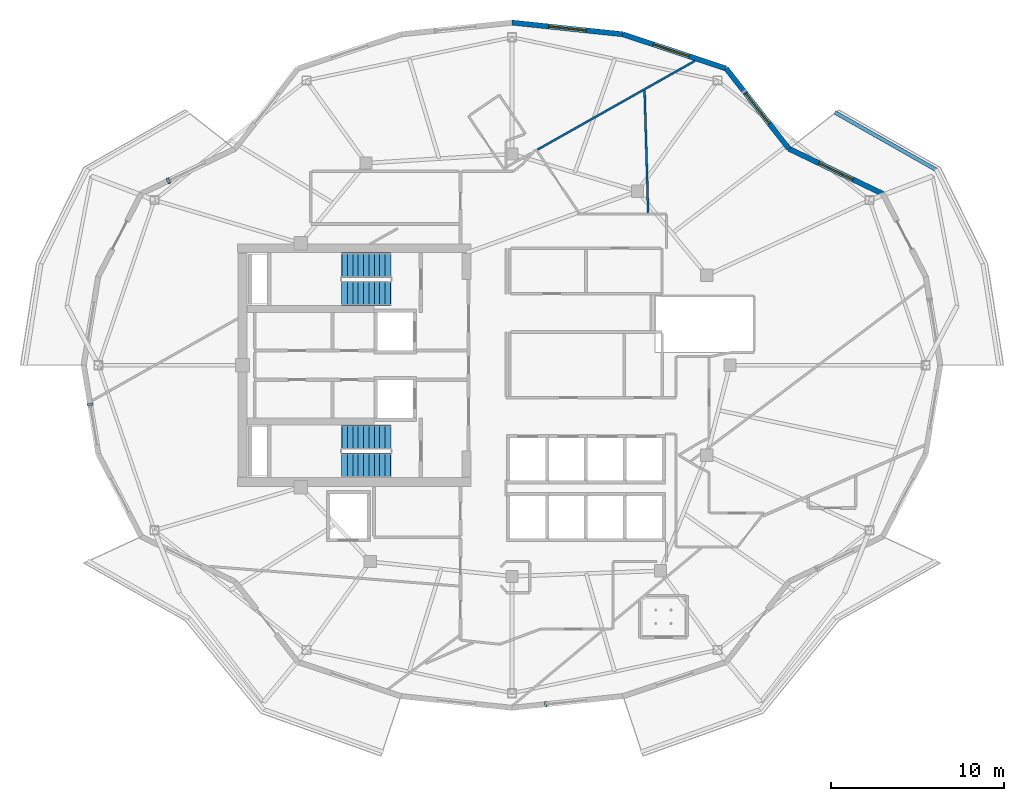
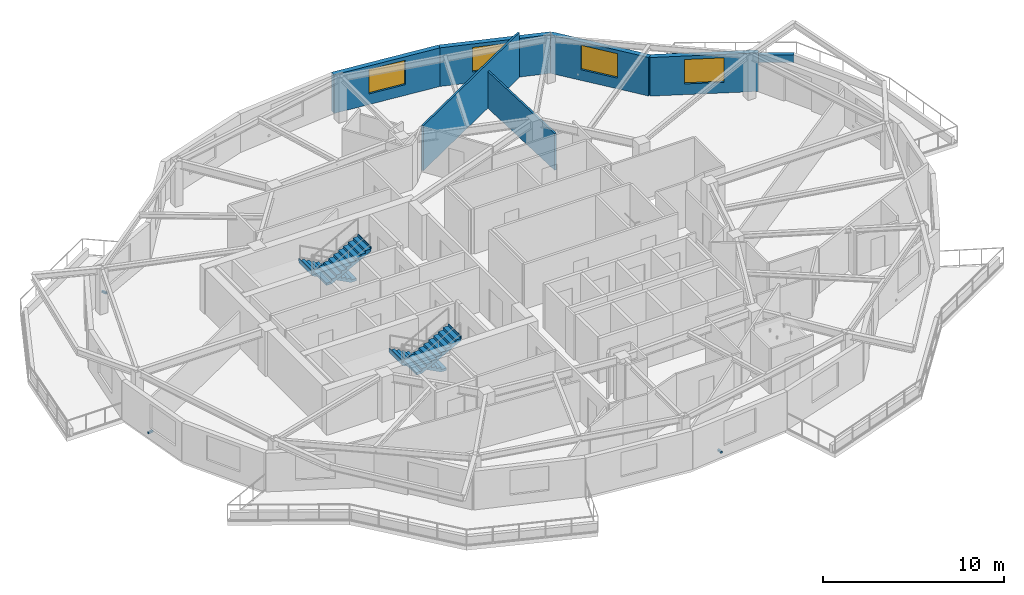
# One storey, part 7 of 13: 7 walls, 4 stair flights, 4 windows, 3 discrete accessories, 4 openings, 2 elements without a shape of their own.
"""IFC4 building model written with IfcOpenShell, lengths in metres."""

from ifc_helpers import new_model, si_unit, direction, frame, frame_2d, origin, origin_2d, place, context, subcontext, project, spatial, polyline, rectangle, outline, extrude, material, layer, layer_set, type_object, element, fill, aggregate, save


model = new_model("IFC4")

# Units and contexts
model_context = context("Model", 3, precision=1e-05, world=origin(), true_north=direction((0.0, 1.0)))
body_context = subcontext(model_context, "Body", "Model", "MODEL_VIEW")
ifc_project = project(units=[si_unit("LENGTHUNIT", "METRE"), si_unit("AREAUNIT", "SQUARE_METRE"), si_unit("VOLUMEUNIT", "CUBIC_METRE"), si_unit("PLANEANGLEUNIT", "RADIAN"), si_unit("MASSUNIT", "GRAM", prefix="KILO")], contexts=[model_context])

# Site, building, storey
site_placement = place(None, origin())
site = spatial("IfcSite", under=ifc_project, at=site_placement, CompositionType="ELEMENT")
building_placement = place(site_placement, origin())
building = spatial("IfcBuilding", under=site, at=building_placement, Name="Kolvaren Gate Tower and Convention Centre", CompositionType="ELEMENT")
storey_placement = place(building_placement, frame((0.0, 0.0, 196.39990234375)))
storey = spatial("IfcBuildingStorey", under=building, at=storey_placement, Name="L51", CompositionType="ELEMENT", Elevation=196.39990234375)

# Walls
ifc_material_1 = material(Name="Fire-Rated Acoustic Gypsum Stud Partition", Category="gypsum")
ifc_layer_1 = layer(ifc_material_1, 0.1201171875)
ifc_layer_set_1 = layer_set([ifc_layer_1], Name="Fire-Rated Acoustic Gypsum Stud Partition")
wall_type_1 = type_object("IfcWallType", Name="ARCH-WL-PART-120", PredefinedType="PARTITIONING", material=ifc_layer_set_1)
wall_1_placement = place(storey_placement, frame((31.59814453125, 39.458251953125, 0.0), z_axis=(0.0, 0.0, 1.0), x_axis=(0.871126204373, 0.491059198117, 0.0)))
element("IfcWall", 1, at=wall_1_placement, inside=storey, type_object=wall_type_1, Name="Interior Partition WL-L51-INT-066 (2)", PredefinedType="PARTITIONING", context=body_context, shape_type="SweptSolid", body=[
    extrude(rectangle(XDim=10.441650390625, YDim=0.1201171875, at=frame_2d((5.220703125, 0.0))), origin(), (0.0, 0.0, 1.0), 3.030029296875),
])
wall_2_placement = place(storey_placement, frame((37.785888671875, 42.875244140625, 0.0), z_axis=(0.0, 0.0, 1.0), x_axis=(0.029229495249, -0.999572727023, 0.0)))
element("IfcWall", 2, at=wall_2_placement, inside=storey, type_object=wall_type_1, Name="Interior Partition WL-L51-INT-086", PredefinedType="PARTITIONING", context=body_context, shape_type="SweptSolid", body=[
    extrude(rectangle(XDim=7.066162109375, YDim=0.1201171875, at=frame_2d((3.533203125, 0.0))), origin(), (0.0, 0.0, 1.0), 2.47802734375),
])
ifc_material_2 = material(Name="Piedmont Cream Honed Limestone Cladding", Category="masonry")
ifc_layer_2 = layer(ifc_material_2, 0.219970703125)
ifc_layer_set_2 = layer_set([ifc_layer_2], Name="Piedmont Cream Honed Limestone Cladding")
wall_type_2 = type_object("IfcWallType", Name="ARCH-WL-PLANTER-220", PredefinedType="PARAPET", material=ifc_layer_set_2)
wall_3_placement = place(storey_placement, frame((48.7763671875, 41.61669921875, 0.0), z_axis=(0.0, 0.0, 1.0), x_axis=(0.869860619267, -0.493297580623, 0.0)))
element("IfcWall", 3, at=wall_3_placement, inside=storey, type_object=wall_type_2, Name="Vertical-Forest Balcony Stone Planter Kerb PK-L51-1.3", PredefinedType="PARAPET", context=body_context, shape_type="SweptSolid", body=[
    extrude(rectangle(XDim=6.74267578125, YDim=0.219970703125, at=frame_2d((3.371337890625, 0.0))), origin(), (0.0, 0.0, 1.0), 0.52001953125),
])

# Wall, opening, window
ifc_layer_3 = layer(ifc_material_2, 0.300048828125)
ifc_layer_set_3 = layer_set([ifc_layer_3], Name="Piedmont Cream Honed Limestone Cladding")
wall_type_3 = type_object("IfcWallType", Name="ARCH-WL-STONE-300", PredefinedType="SOLIDWALL", material=ifc_layer_set_3)
wall_4_placement = place(storey_placement, frame((46.132568359375, 39.50732421875, 0.0), z_axis=(0.0, 0.0, 1.0), x_axis=(0.901348331142, -0.433094892545, 0.0)))
wall_4 = element("IfcWall", 4, at=wall_4_placement, inside=storey, type_object=wall_type_3, Name="Tower L51 Honed Stone Spandrel Wall EW-02", PredefinedType="SOLIDWALL", context=body_context, shape_type="SweptSolid", body=[
    extrude(rectangle(XDim=6.0205078125, YDim=0.300048828125, at=frame_2d((3.01025390625, 0.0))), origin(), (0.0, 0.0, 1.0), 2.60498046875),
])
opening_1_placement = place(wall_4_placement, frame((1.909912109375, 0.0, 0.719970703125)))
opening_1 = element("IfcOpeningElement", 5, at=opening_1_placement, cuts=wall_4, Name="Opening W-03", PredefinedType="OPENING", context=body_context, shape_type="SweptSolid", body=[
    extrude(rectangle(XDim=2.199951171875, YDim=1.64990234375, at=frame_2d((1.10009765625, 0.824951171875))), frame((0.0, 0.159912109375, 0.0), z_axis=(0.0, -1.0, 0.0), x_axis=(1.0, 0.0, 0.0)), (0.0, 0.0, 1.0), 0.320068359375),
])
ifc_material_3 = material(Name="Low-E Triple Insulated Glazing Unit 44 mm", Category="glass")
window_type = type_object("IfcWindowType", Name="ARCH-WN-RES-2200", PartitioningType="SINGLE_PANEL", PredefinedType="WINDOW", material=ifc_material_3)
window_1_placement = place(opening_1_placement, origin())
window_1 = element("IfcWindow", 6, at=window_1_placement, inside=storey, type_object=window_type, Name="Tower L51 Punched Stone Facade Window W-02", OverallHeight=1.64990234375, OverallWidth=2.199951171875, PartitioningType="SINGLE_PANEL", PredefinedType="WINDOW", context=body_context, shape_type="SweptSolid", body=[
    extrude(rectangle(XDim=2.199951171875, YDim=1.64990234375, at=frame_2d((1.10009765625, 0.824951171875))), frame((0.0, 0.030029296875, 0.0), z_axis=(0.0, -1.0, 0.0), x_axis=(1.0, 0.0, 0.0)), (0.0, 0.0, 1.0), 0.06005859375),
])
fill(opening_1, window_1)

wall_5_placement = place(storey_placement, frame((42.5, 44.147216796875, 0.0), z_axis=(0.0, 0.0, 1.0), x_axis=(0.616450126935, -0.787393955401, 0.0)))
wall_5 = element("IfcWall", 7, at=wall_5_placement, inside=storey, type_object=wall_type_3, Name="Tower L51 Honed Stone Spandrel Wall EW-03", PredefinedType="SOLIDWALL", context=body_context, shape_type="SweptSolid", body=[
    extrude(rectangle(XDim=5.892822265625, YDim=0.300048828125, at=frame_2d((2.9462890625, 0.0))), origin(), (0.0, 0.0, 1.0), 2.60498046875),
])
opening_2_placement = place(wall_5_placement, frame((1.845947265625, 0.0, 0.719970703125)))
opening_2 = element("IfcOpeningElement", 8, at=opening_2_placement, cuts=wall_5, Name="Opening W-03", PredefinedType="OPENING", context=body_context, shape_type="SweptSolid", body=[
    extrude(rectangle(XDim=2.199951171875, YDim=1.64990234375, at=frame_2d((1.10009765625, 0.824951171875))), frame((0.0, 0.159912109375, 0.0), z_axis=(0.0, -1.0, 0.0), x_axis=(1.0, 0.0, 0.0)), (0.0, 0.0, 1.0), 0.320068359375),
])
window_2_placement = place(opening_2_placement, origin())
window_2 = element("IfcWindow", 9, at=window_2_placement, inside=storey, type_object=window_type, Name="Tower L51 Punched Stone Facade Window W-03", OverallHeight=1.64990234375, OverallWidth=2.199951171875, PartitioningType="SINGLE_PANEL", PredefinedType="WINDOW", context=body_context, shape_type="SweptSolid", body=[
    extrude(rectangle(XDim=2.199951171875, YDim=1.64990234375, at=frame_2d((1.10009765625, 0.824951171875))), frame((0.0, 0.030029296875, 0.0), z_axis=(0.0, -1.0, 0.0), x_axis=(1.0, 0.0, 0.0)), (0.0, 0.0, 1.0), 0.06005859375),
])
fill(opening_2, window_2)

wall_6_placement = place(storey_placement, frame((36.53076171875, 46.125244140625, 0.0), z_axis=(0.0, 0.0, 1.0), x_axis=(0.949240877604, -0.314550085495, 0.0)))
wall_6 = element("IfcWall", 10, at=wall_6_placement, inside=storey, type_object=wall_type_3, Name="Tower L51 Honed Stone Spandrel Wall EW-04", PredefinedType="SOLIDWALL", context=body_context, shape_type="SweptSolid", body=[
    extrude(rectangle(XDim=6.288330078125, YDim=0.300048828125, at=frame_2d((3.14404296875, 0.0))), origin(), (0.0, 0.0, 1.0), 2.60498046875),
])
opening_3_placement = place(wall_6_placement, frame((1.85009765625, 0.0, 0.719970703125)))
opening_3 = element("IfcOpeningElement", 11, at=opening_3_placement, cuts=wall_6, Name="Opening W-03", PredefinedType="OPENING", context=body_context, shape_type="SweptSolid", body=[
    extrude(rectangle(XDim=2.199951171875, YDim=1.64990234375, at=frame_2d((1.10009765625, 0.824951171875))), frame((0.0, 0.159912109375, 0.0), z_axis=(0.0, -1.0, 0.0), x_axis=(1.0, 0.0, 0.0)), (0.0, 0.0, 1.0), 0.320068359375),
])
window_3_placement = place(opening_3_placement, origin())
window_3 = element("IfcWindow", 12, at=window_3_placement, inside=storey, type_object=window_type, Name="Tower L51 Punched Stone Facade Window W-04", OverallHeight=1.64990234375, OverallWidth=2.199951171875, PartitioningType="SINGLE_PANEL", PredefinedType="WINDOW", context=body_context, shape_type="SweptSolid", body=[
    extrude(rectangle(XDim=2.199951171875, YDim=1.64990234375, at=frame_2d((1.10009765625, 0.824951171875))), frame((0.0, 0.030029296875, 0.0), z_axis=(0.0, -1.0, 0.0), x_axis=(1.0, 0.0, 0.0)), (0.0, 0.0, 1.0), 0.06005859375),
])
fill(opening_3, window_3)

wall_7_placement = place(storey_placement, frame((30.125, 46.800048828125, 0.0), z_axis=(0.0, 0.0, 1.0), x_axis=(0.994497142298, -0.104763705363, 0.0)))
wall_7 = element("IfcWall", 13, at=wall_7_placement, inside=storey, type_object=wall_type_3, Name="Tower L51 Honed Stone Spandrel Wall EW-05", PredefinedType="SOLIDWALL", context=body_context, shape_type="SweptSolid", body=[
    extrude(rectangle(XDim=6.441162109375, YDim=0.300048828125, at=frame_2d((3.220703125, 0.0))), origin(), (0.0, 0.0, 1.0), 2.60498046875),
])
opening_4_placement = place(wall_7_placement, frame((2.12109375, 0.0, 0.719970703125)))
opening_4 = element("IfcOpeningElement", 14, at=opening_4_placement, cuts=wall_7, Name="Opening W-03", PredefinedType="OPENING", context=body_context, shape_type="SweptSolid", body=[
    extrude(rectangle(XDim=2.199951171875, YDim=1.64990234375, at=frame_2d((1.10009765625, 0.824951171875))), frame((0.0, 0.159912109375, 0.0), z_axis=(0.0, -1.0, 0.0), x_axis=(1.0, 0.0, 0.0)), (0.0, 0.0, 1.0), 0.320068359375),
])
window_4_placement = place(opening_4_placement, origin())
window_4 = element("IfcWindow", 15, at=window_4_placement, inside=storey, type_object=window_type, Name="Tower L51 Punched Stone Facade Window W-05", OverallHeight=1.64990234375, OverallWidth=2.199951171875, PartitioningType="SINGLE_PANEL", PredefinedType="WINDOW", context=body_context, shape_type="SweptSolid", body=[
    extrude(rectangle(XDim=2.199951171875, YDim=1.64990234375, at=frame_2d((1.10009765625, 0.824951171875))), frame((0.0, 0.030029296875, 0.0), z_axis=(0.0, -1.0, 0.0), x_axis=(1.0, 0.0, 0.0)), (0.0, 0.0, 1.0), 0.06005859375),
])
fill(opening_4, window_4)

# Stair, stair flights
ifc_material_4 = material(Name="Concrete C50/60", Category="concrete")
stair_type = type_object("IfcStairType", Name="STR-STAIR-CORE", PredefinedType="HALF_TURN_STAIR", material=ifc_material_4)
stair_1_placement = place(storey_placement, origin())
stair_1 = element("IfcStair", 16, at=stair_1_placement, inside=storey, type_object=stair_type, Name="L51 Tower North Exit Stair ST-T1", PredefinedType="HALF_TURN_STAIR")
stair_flight_type = type_object("IfcStairFlightType", Name="STR-SFL-1420", PredefinedType="STRAIGHT", material=ifc_material_4)
stair_flight_1_placement = place(storey_placement, frame((23.10009765625, 32.7900390625, 0.0), z_axis=(0.0, 0.0, 1.0), x_axis=(-1.0, 0.0, 0.0)))
stair_flight_1 = element("IfcStairFlight", 17, at=stair_flight_1_placement, type_object=stair_flight_type, Name="ST-T1 flight 1", NumberOfRisers=10, NumberOfTreads=9, PredefinedType="STRAIGHT", RiserHeight=0.165, TreadLength=0.31, context=body_context, shape_type="SweptSolid", body=[
    extrude(outline(polyline([(-0.034912109375, 0.0), (-0.034912109375, 0.1650390625), (0.31005859375, 0.1650390625), (0.31005859375, 0.330078125), (0.6201171875, 0.330078125), (0.6201171875, 0.4951171875), (0.929931640625, 0.4951171875), (0.929931640625, 0.659912109375), (1.239990234375, 0.659912109375), (1.239990234375, 0.824951171875), (1.550048828125, 0.824951171875), (1.550048828125, 0.989990234375), (1.860107421875, 0.989990234375), (1.860107421875, 1.155029296875), (2.169921875, 1.155029296875), (2.169921875, 1.320068359375), (2.47998046875, 1.320068359375), (2.47998046875, 1.485107421875), (2.7900390625, 1.485107421875), (2.7900390625, 1.64990234375), (2.8349609375, 1.64990234375), (2.8349609375, 1.489990234375), (2.7900390625, 1.315185546875), (0.319091796875, 0.0), (-0.034912109375, 0.0)])), frame((0.0, 0.7099609375, 0.0), z_axis=(0.0, -1.0, 0.0), x_axis=(1.0, 0.0, 0.0)), (0.0, 0.0, 1.0), 1.419921875),
])
stair_flight_2_placement = place(storey_placement, frame((20.31005859375, 31.169921875, 1.650146484375), z_axis=(0.0, 0.0, 1.0), x_axis=(1.0, 0.0, 0.0)))
stair_flight_2 = element("IfcStairFlight", 18, at=stair_flight_2_placement, type_object=stair_flight_type, Name="ST-T1 flight 2", NumberOfRisers=10, NumberOfTreads=9, PredefinedType="STRAIGHT", RiserHeight=0.165, TreadLength=0.31, context=body_context, shape_type="SweptSolid", body=[
    extrude(outline(polyline([(-0.034912109375, 0.0), (-0.034912109375, 0.1650390625), (0.31005859375, 0.1650390625), (0.31005859375, 0.330078125), (0.6201171875, 0.330078125), (0.6201171875, 0.4951171875), (0.929931640625, 0.4951171875), (0.929931640625, 0.659912109375), (1.239990234375, 0.659912109375), (1.239990234375, 0.824951171875), (1.550048828125, 0.824951171875), (1.550048828125, 0.989990234375), (1.860107421875, 0.989990234375), (1.860107421875, 1.155029296875), (2.169921875, 1.155029296875), (2.169921875, 1.320068359375), (2.47998046875, 1.320068359375), (2.47998046875, 1.485107421875), (2.7900390625, 1.485107421875), (2.7900390625, 1.64990234375), (2.8349609375, 1.64990234375), (2.8349609375, 1.489990234375), (2.7900390625, 1.315185546875), (0.319091796875, 0.0), (-0.034912109375, 0.0)])), frame((0.0, 0.7099609375, 0.0), z_axis=(0.0, -1.0, 0.0), x_axis=(1.0, 0.0, 0.0)), (0.0, 0.0, 1.0), 1.419921875),
])
aggregate(stair_1, [stair_flight_1, stair_flight_2])

stair_2_placement = place(storey_placement, origin())
stair_2 = element("IfcStair", 19, at=stair_2_placement, inside=storey, type_object=stair_type, Name="L51 Tower South Exit Stair ST-T2", PredefinedType="HALF_TURN_STAIR")
stair_flight_3_placement = place(storey_placement, frame((23.10009765625, 22.830078125, 0.0), z_axis=(0.0, 0.0, 1.0), x_axis=(-1.0, 0.0, 0.0)))
stair_flight_3 = element("IfcStairFlight", 20, at=stair_flight_3_placement, type_object=stair_flight_type, Name="ST-T2 flight 1", NumberOfRisers=10, NumberOfTreads=9, PredefinedType="STRAIGHT", RiserHeight=0.165, TreadLength=0.31, context=body_context, shape_type="SweptSolid", body=[
    extrude(outline(polyline([(-0.034912109375, 0.0), (-0.034912109375, 0.1650390625), (0.31005859375, 0.1650390625), (0.31005859375, 0.330078125), (0.6201171875, 0.330078125), (0.6201171875, 0.4951171875), (0.929931640625, 0.4951171875), (0.929931640625, 0.659912109375), (1.239990234375, 0.659912109375), (1.239990234375, 0.824951171875), (1.550048828125, 0.824951171875), (1.550048828125, 0.989990234375), (1.860107421875, 0.989990234375), (1.860107421875, 1.155029296875), (2.169921875, 1.155029296875), (2.169921875, 1.320068359375), (2.47998046875, 1.320068359375), (2.47998046875, 1.485107421875), (2.7900390625, 1.485107421875), (2.7900390625, 1.64990234375), (2.8349609375, 1.64990234375), (2.8349609375, 1.489990234375), (2.7900390625, 1.315185546875), (0.319091796875, 0.0), (-0.034912109375, 0.0)])), frame((0.0, 0.7099609375, 0.0), z_axis=(0.0, -1.0, 0.0), x_axis=(1.0, 0.0, 0.0)), (0.0, 0.0, 1.0), 1.419921875),
])
stair_flight_4_placement = place(storey_placement, frame((20.31005859375, 21.2099609375, 1.650146484375), z_axis=(0.0, 0.0, 1.0), x_axis=(1.0, 0.0, 0.0)))
stair_flight_4 = element("IfcStairFlight", 21, at=stair_flight_4_placement, type_object=stair_flight_type, Name="ST-T2 flight 2", NumberOfRisers=10, NumberOfTreads=9, PredefinedType="STRAIGHT", RiserHeight=0.165, TreadLength=0.31, context=body_context, shape_type="SweptSolid", body=[
    extrude(outline(polyline([(-0.034912109375, 0.0), (-0.034912109375, 0.1650390625), (0.31005859375, 0.1650390625), (0.31005859375, 0.330078125), (0.6201171875, 0.330078125), (0.6201171875, 0.4951171875), (0.929931640625, 0.4951171875), (0.929931640625, 0.659912109375), (1.239990234375, 0.659912109375), (1.239990234375, 0.824951171875), (1.550048828125, 0.824951171875), (1.550048828125, 0.989990234375), (1.860107421875, 0.989990234375), (1.860107421875, 1.155029296875), (2.169921875, 1.155029296875), (2.169921875, 1.320068359375), (2.47998046875, 1.320068359375), (2.47998046875, 1.485107421875), (2.7900390625, 1.485107421875), (2.7900390625, 1.64990234375), (2.8349609375, 1.64990234375), (2.8349609375, 1.489990234375), (2.7900390625, 1.315185546875), (0.319091796875, 0.0), (-0.034912109375, 0.0)])), frame((0.0, 0.7099609375, 0.0), z_axis=(0.0, -1.0, 0.0), x_axis=(1.0, 0.0, 0.0)), (0.0, 0.0, 1.0), 1.419921875),
])
aggregate(stair_2, [stair_flight_3, stair_flight_4])

# Discrete accessories
ifc_material_5 = material(Name="Anodized Architectural Aluminium Alloy 6063-T6", Category="aluminium")
discrete_accessory_type = type_object("IfcDiscreteAccessoryType", Name="ARCH-ACC-BRACKET-120", PredefinedType="BRACKET", material=ifc_material_5)
for number, where, z_axis, x_axis, name in (
    (22, (10.268310546875, 37.657958984375, 0.2900390625), (0.0, 0.0, 1.0), (0.90135914581, 0.433072384555, 0.0), "Ceramic Fin Wall Anchor Bracket FBK-L51-09"),
    (23, (5.746826171875, 24.740478515625, 0.2900390625), (0.0, 0.0, 1.0), (0.162375401515, -0.986729055508, 0.0), "Ceramic Fin Wall Anchor Bracket FBK-L51-12"),
    (24, (32.0751953125, 7.405517578125, 0.2900390625), (0.0, 0.0, 1.0), (0.994498884311, 0.104747167526, 0.0), "Ceramic Fin Wall Anchor Bracket FBK-L51-18"),
):
    element("IfcDiscreteAccessory", number, at=place(storey_placement, frame(where, z_axis=z_axis, x_axis=x_axis)), inside=storey, type_object=discrete_accessory_type, Name=name, PredefinedType="BRACKET", context=body_context, shape_type="SweptSolid", body=[
        extrude(rectangle(XDim=0.1201171875, YDim=0.320068359375, at=origin_2d()), origin(), (0.0, 0.0, 1.0), 0.1201171875),
    ])

save(model, "model.ifc")
